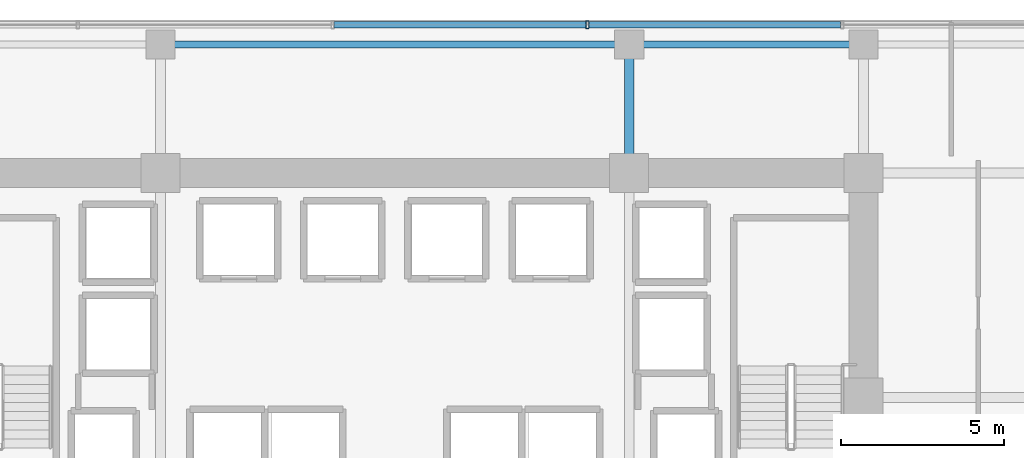
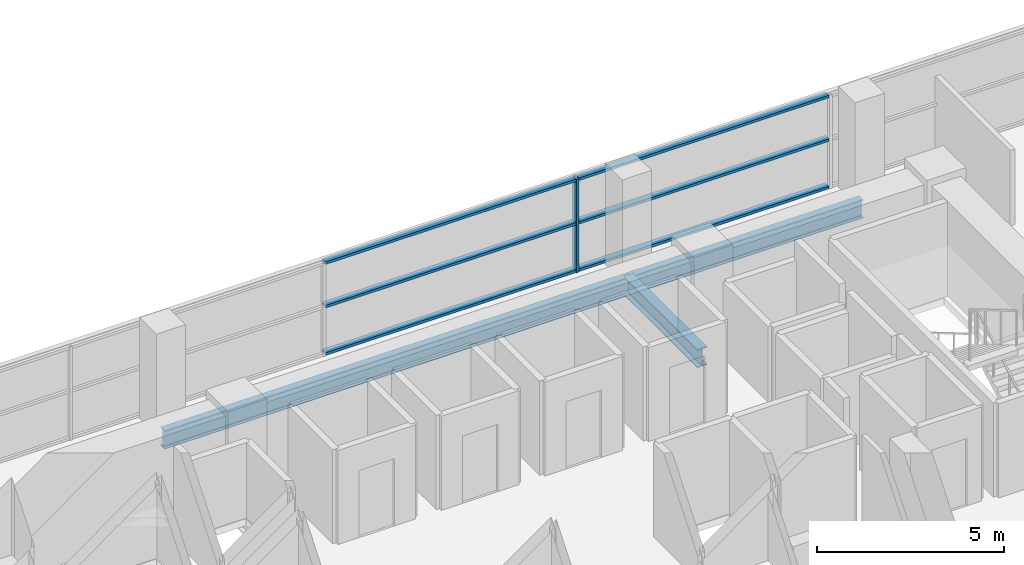
# One storey, part 15 of 26: 7 members, 3 beams, 1 element without a shape of its own.
"""IFC4 building model written with IfcOpenShell, lengths in metres."""

from ifc_helpers import new_model, si_unit, direction, frame, origin, origin_2d, place, context, subcontext, project, spatial, hollow_rectangle, i_section, extrude, source, transform, mapped, material, layer, layer_set, material_profile, profile_set, type_object, element, aggregate, save


model = new_model("IFC4")

# Units and contexts
model_context = context("Model", 3, precision=1e-05, world=origin(), true_north=direction((0.0, 1.0)))
body_context = subcontext(model_context, "Body", "Model", "MODEL_VIEW")
ifc_project = project(units=[si_unit("LENGTHUNIT", "METRE"), si_unit("AREAUNIT", "SQUARE_METRE"), si_unit("VOLUMEUNIT", "CUBIC_METRE"), si_unit("PLANEANGLEUNIT", "RADIAN"), si_unit("MASSUNIT", "GRAM", prefix="KILO")], contexts=[model_context])

# Site, building, storey
site_placement = place(None, origin())
site = spatial("IfcSite", under=ifc_project, at=site_placement, CompositionType="ELEMENT")
building_placement = place(site_placement, origin())
building = spatial("IfcBuilding", under=site, at=building_placement, Name="Zarnakvel Exchange Tower", CompositionType="ELEMENT")
storey_placement = place(building_placement, frame((0.0, 0.0, 70.300048828125)))
storey = spatial("IfcBuildingStorey", under=building, at=storey_placement, Name="L19", CompositionType="ELEMENT", Elevation=70.300048828125)

# Beams
ifc_material_1 = material(Name="Steel S355", Category="steel")
ifc_material_profile_1 = material_profile(ifc_material_1, i_section(OverallWidth=0.300048828125, OverallDepth=0.60009765625, WebThickness=0.015380859375, FlangeThickness=0.030029296875, FilletRadius=0.027099609375, at=origin_2d()))
ifc_profile_set_1 = profile_set([ifc_material_profile_1], Name="Steel S355")
beam_type_1 = type_object("IfcBeamType", Name="G-04", PredefinedType="BEAM", material=ifc_profile_set_1)
beam_1_placement = place(storey_placement, frame((7.199951171875, 13.5, -0.525146484375), z_axis=(0.0, 1.0, 0.0), x_axis=(-1.0, 0.0, 0.0)))
element("IfcBeam", 1, at=beam_1_placement, inside=storey, type_object=beam_type_1, Name="L19 Tower N-S Frame Beam", PredefinedType="BEAM", context=body_context, shape_type="SweptSolid", body=[
    extrude(i_section(OverallWidth=0.300048828125, OverallDepth=0.60009765625, WebThickness=0.015380859375, FlangeThickness=0.030029296875, FilletRadius=0.027099609375, at=origin_2d()), origin(), (0.0, 0.0, 1.0), 3.949951171875),
])
ifc_material_profile_2 = material_profile(ifc_material_1, i_section(OverallWidth=0.219970703125, OverallDepth=0.60009765625, WebThickness=0.011962890625, FlangeThickness=0.01904296875, FilletRadius=0.02392578125, at=origin_2d()))
ifc_profile_set_2 = profile_set([ifc_material_profile_2], Name="Steel S355")
beam_type_2 = type_object("IfcBeamType", Name="SP-01", PredefinedType="SPANDREL", material=ifc_profile_set_2)
beam_2_placement = place(storey_placement, frame((-7.199951171875, 17.449951171875, -0.525146484375), z_axis=(1.0, 0.0, 0.0), x_axis=(0.0, 1.0, 0.0)))
element("IfcBeam", 2, at=beam_2_placement, inside=storey, type_object=beam_type_2, Name="L19 Tower E-W Frame Beam", PredefinedType="SPANDREL", context=body_context, shape_type="SweptSolid", body=[
    extrude(i_section(OverallWidth=0.219970703125, OverallDepth=0.60009765625, WebThickness=0.011962890625, FlangeThickness=0.01904296875, FilletRadius=0.02392578125, at=origin_2d()), origin(), (0.0, 0.0, 1.0), 14.39990234375),
])
beam_3_placement = place(storey_placement, frame((7.199951171875, 17.449951171875, -0.525146484375), z_axis=(1.0, 0.0, 0.0), x_axis=(0.0, 1.0, 0.0)))
element("IfcBeam", 3, at=beam_3_placement, inside=storey, type_object=beam_type_2, Name="L19 Tower E-W Frame Beam", PredefinedType="SPANDREL", context=body_context, shape_type="SweptSolid", body=[
    extrude(i_section(OverallWidth=0.219970703125, OverallDepth=0.60009765625, WebThickness=0.011962890625, FlangeThickness=0.01904296875, FilletRadius=0.02392578125, at=origin_2d()), origin(), (0.0, 0.0, 1.0), 7.199951171875),
])

# Curtain wall, members
ifc_material_2 = material(Name="Architectural Bronze Anodised Aluminium", Category="aluminium")
ifc_layer = layer(ifc_material_2, 0.239990234375)
ifc_layer_set = layer_set([ifc_layer], Name="Architectural Bronze Anodised Aluminium")
curtain_wall_type = type_object("IfcCurtainWallType", Name="CW-02", PredefinedType="NOTDEFINED", material=ifc_layer_set)
curtain_wall_placement = place(storey_placement, origin())
curtain_wall = element("IfcCurtainWall", 4, at=curtain_wall_placement, inside=storey, type_object=curtain_wall_type, Name="L19 Curtain Wall CW-L19-N1 (CW-02)", PredefinedType="NOTDEFINED")
ifc_material_profile_3 = material_profile(ifc_material_2, hollow_rectangle(XDim=0.199951171875, YDim=0.0849609375, WallThickness=0.0048828125, at=origin_2d()))
ifc_profile_set_3 = profile_set([ifc_material_profile_3], Name="Architectural Bronze Anodised Aluminium")
member_type_1 = type_object("IfcMemberType", Name="CWT-02", PredefinedType="USERDEFINED", material=ifc_profile_set_3)
shared_shape_1 = source(origin(), body_context, "Body", "SweptSolid", [
    extrude(hollow_rectangle(XDim=0.199951171875, YDim=0.0849609375, WallThickness=0.0048828125, at=origin_2d()), origin(), (0.0, 0.0, 1.0), 7.738525390625),
])
member_1_placement = place(storey_placement, frame((5.959228515625, 18.06005859375, 0.04248046875), z_axis=(1.0, 0.0, 0.0), x_axis=(0.0, 1.0, 0.0)))
member_1 = element("IfcMember", 5, at=member_1_placement, type_object=member_type_1, Name="CW-02 transom 5.1", ObjectType="TRANSOM", PredefinedType="USERDEFINED", context=body_context, shape_type="MappedRepresentation", body=[
    mapped(shared_shape_1, transform((0.0, 0.0, 0.0), x_axis=(1.0, 0.0, 0.0), y_axis=(0.0, 1.0, 0.0), z_axis=(0.0, 0.0, 1.0), scale=1.0)),
])
member_2_placement = place(storey_placement, frame((5.959228515625, 18.06005859375, 1.588623046875), z_axis=(1.0, 0.0, 0.0), x_axis=(0.0, 1.0, 0.0)))
member_2 = element("IfcMember", 6, at=member_2_placement, type_object=member_type_1, Name="CW-02 transom 5.2", ObjectType="TRANSOM", PredefinedType="USERDEFINED", context=body_context, shape_type="MappedRepresentation", body=[
    mapped(shared_shape_1, transform((0.0, 0.0, 0.0), x_axis=(1.0, 0.0, 0.0), y_axis=(0.0, 1.0, 0.0), z_axis=(0.0, 0.0, 1.0), scale=1.0)),
])
member_3_placement = place(storey_placement, frame((5.959228515625, 18.06005859375, 3.012451171875), z_axis=(1.0, 0.0, 0.0), x_axis=(0.0, 1.0, 0.0)))
member_3 = element("IfcMember", 7, at=member_3_placement, type_object=member_type_1, Name="CW-02 transom 5.3", ObjectType="TRANSOM", PredefinedType="USERDEFINED", context=body_context, shape_type="MappedRepresentation", body=[
    mapped(shared_shape_1, transform((0.0, 0.0, 0.0), x_axis=(1.0, 0.0, 0.0), y_axis=(0.0, 1.0, 0.0), z_axis=(0.0, 0.0, 1.0), scale=1.0)),
])
shared_shape_2 = source(origin(), body_context, "Body", "SweptSolid", [
    extrude(hollow_rectangle(XDim=0.199951171875, YDim=0.0849609375, WallThickness=0.0048828125, at=origin_2d()), origin(), (0.0, 0.0, 1.0), 7.73876953125),
])
member_4_placement = place(storey_placement, frame((-1.869384765625, 18.06005859375, 0.04248046875), z_axis=(1.0, 0.0, 0.0), x_axis=(0.0, 1.0, 0.0)))
member_4 = element("IfcMember", 8, at=member_4_placement, type_object=member_type_1, Name="CW-02 transom 4.1", ObjectType="TRANSOM", PredefinedType="USERDEFINED", context=body_context, shape_type="MappedRepresentation", body=[
    mapped(shared_shape_2, transform((0.0, 0.0, 0.0), x_axis=(1.0, 0.0, 0.0), y_axis=(0.0, 1.0, 0.0), z_axis=(0.0, 0.0, 1.0), scale=1.0)),
])
member_5_placement = place(storey_placement, frame((-1.869384765625, 18.06005859375, 1.588623046875), z_axis=(1.0, 0.0, 0.0), x_axis=(0.0, 1.0, 0.0)))
member_5 = element("IfcMember", 9, at=member_5_placement, type_object=member_type_1, Name="CW-02 transom 4.2", ObjectType="TRANSOM", PredefinedType="USERDEFINED", context=body_context, shape_type="MappedRepresentation", body=[
    mapped(shared_shape_2, transform((0.0, 0.0, 0.0), x_axis=(1.0, 0.0, 0.0), y_axis=(0.0, 1.0, 0.0), z_axis=(0.0, 0.0, 1.0), scale=1.0)),
])
member_6_placement = place(storey_placement, frame((-1.869384765625, 18.06005859375, 3.012451171875), z_axis=(1.0, 0.0, 0.0), x_axis=(0.0, 1.0, 0.0)))
member_6 = element("IfcMember", 10, at=member_6_placement, type_object=member_type_1, Name="CW-02 transom 4.3", ObjectType="TRANSOM", PredefinedType="USERDEFINED", context=body_context, shape_type="MappedRepresentation", body=[
    mapped(shared_shape_2, transform((0.0, 0.0, 0.0), x_axis=(1.0, 0.0, 0.0), y_axis=(0.0, 1.0, 0.0), z_axis=(0.0, 0.0, 1.0), scale=1.0)),
])
ifc_material_profile_4 = material_profile(ifc_material_2, hollow_rectangle(XDim=0.239990234375, YDim=0.090087890625, WallThickness=0.006103515625, at=origin_2d()))
ifc_profile_set_4 = profile_set([ifc_material_profile_4], Name="Architectural Bronze Anodised Aluminium")
member_type_2 = type_object("IfcMemberType", Name="CWM-02", PredefinedType="MULLION", material=ifc_profile_set_4)
shared_shape_3 = source(origin(), body_context, "Body", "SweptSolid", [
    extrude(hollow_rectangle(XDim=0.239990234375, YDim=0.090087890625, WallThickness=0.006103515625, at=origin_2d()), origin(), (0.0, 0.0, 1.0), 3.054931640625),
])
member_7_placement = place(storey_placement, frame((5.914306640625, 18.06005859375, 0.0), z_axis=(0.0, 0.0, 1.0), x_axis=(0.0, 1.0, 0.0)))
member_7 = element("IfcMember", 11, at=member_7_placement, type_object=member_type_2, Name="CW-02 mullion 5", PredefinedType="MULLION", context=body_context, shape_type="MappedRepresentation", body=[
    mapped(shared_shape_3, transform((0.0, 0.0, 0.0), x_axis=(1.0, 0.0, 0.0), y_axis=(0.0, 1.0, 0.0), z_axis=(0.0, 0.0, 1.0), scale=1.0)),
])
aggregate(curtain_wall, [member_7, member_4, member_5, member_6, member_1, member_2, member_3])

save(model, "model.ifc")
